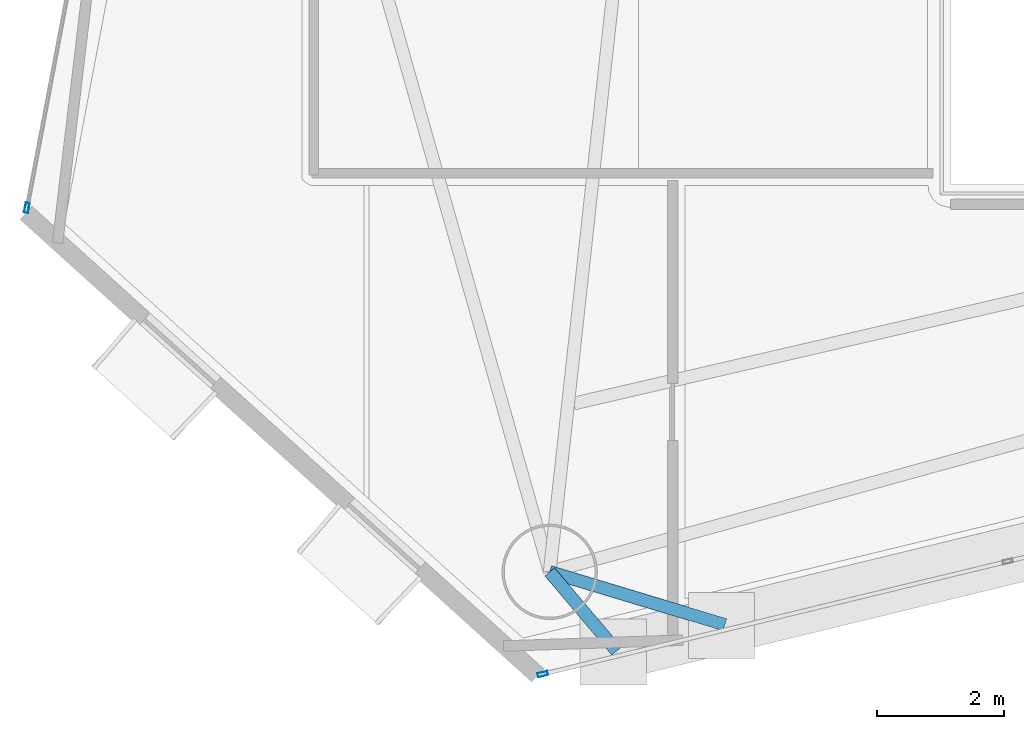
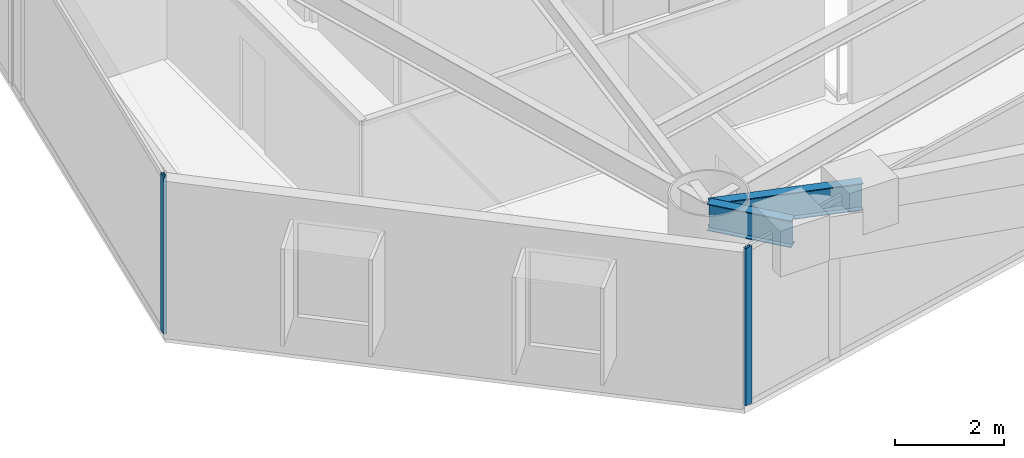
# One storey, part 2 of 24: 2 beams, 2 members, 2 elements without a shape of their own.
"""IFC4 building model written with IfcOpenShell, lengths in metres."""

from ifc_helpers import new_model, si_unit, direction, frame, origin, origin_2d, place, context, subcontext, project, spatial, hollow_rectangle, i_section, extrude, material, layer, layer_set, material_profile, profile_set, type_object, element, aggregate, save


model = new_model("IFC4")

# Units and contexts
model_context = context("Model", 3, precision=1e-05, world=origin(), true_north=direction((0.0, 1.0)))
body_context = subcontext(model_context, "Body", "Model", "MODEL_VIEW")
ifc_project = project(units=[si_unit("LENGTHUNIT", "METRE"), si_unit("AREAUNIT", "SQUARE_METRE"), si_unit("VOLUMEUNIT", "CUBIC_METRE"), si_unit("PLANEANGLEUNIT", "RADIAN"), si_unit("MASSUNIT", "GRAM", prefix="KILO")], contexts=[model_context])

# Site, building, storey
site_placement = place(None, origin())
site = spatial("IfcSite", under=ifc_project, at=site_placement, CompositionType="ELEMENT")
building_placement = place(site_placement, origin())
building = spatial("IfcBuilding", under=site, at=building_placement, Name="Qianvela Tower", CompositionType="ELEMENT")
storey_placement = place(building_placement, frame((0.0, 0.0, 101.5)))
storey = spatial("IfcBuildingStorey", under=building, at=storey_placement, Name="L25", CompositionType="ELEMENT", Elevation=101.5)

# Beams
ifc_material_1 = material(Name="Steel Q355B", Category="steel")
ifc_material_profile_1 = material_profile(ifc_material_1, i_section(OverallWidth=0.199951171875, OverallDepth=0.60009765625, WebThickness=0.010986328125, FlangeThickness=0.01708984375, at=origin_2d()), Name="HN600x200x11x17")
ifc_profile_set_1 = profile_set([ifc_material_profile_1], Name="Steel Q355B")
beam_type = type_object("IfcBeamType", Name="BM-HN600-GIRD", PredefinedType="BEAM", material=ifc_profile_set_1)
beam_1_placement = place(storey_placement, frame((27.2919921875, 11.908935546875, 3.218017578125), z_axis=(0.646418364288, -0.762983157292, 0.0), x_axis=(0.762983157292, 0.646418364288, 0.0)))
element("IfcBeam", 1, at=beam_1_placement, inside=storey, type_object=beam_type, Name="L25 Mega-Brace Column Tie Bracket F3-1", PredefinedType="BEAM", context=body_context, shape_type="SweptSolid", body=[
    extrude(i_section(OverallWidth=0.199951171875, OverallDepth=0.60009765625, WebThickness=0.010986328125, FlangeThickness=0.01708984375, at=origin_2d()), origin(), (0.0, 0.0, 1.0), 1.631591796875),
])
beam_2_placement = place(storey_placement, frame((27.2919921875, 11.908935546875, 3.218017578125), z_axis=(0.957400683545, -0.288762759281, 0.0), x_axis=(0.288762759281, 0.957400683545, 0.0)))
element("IfcBeam", 2, at=beam_2_placement, inside=storey, type_object=beam_type, Name="L25 Mega-Brace Column Tie Bracket F3-2", PredefinedType="BEAM", context=body_context, shape_type="SweptSolid", body=[
    extrude(i_section(OverallWidth=0.199951171875, OverallDepth=0.60009765625, WebThickness=0.010986328125, FlangeThickness=0.01708984375, at=origin_2d()), origin(), (0.0, 0.0, 1.0), 2.880615234375),
])

# Curtain wall, member
ifc_material_2 = material(Name="Anodised Architectural Aluminium and Insulated Spandrel Panel", Category="aluminium")
ifc_layer_1 = layer(ifc_material_2, 0.179931640625)
ifc_layer_set_1 = layer_set([ifc_layer_1], Name="Anodised Architectural Aluminium and Insulated Spandrel Panel")
curtain_wall_type_1 = type_object("IfcCurtainWallType", Name="CW-BRACEBAY", PredefinedType="USERDEFINED", material=ifc_layer_set_1)
curtain_wall_1_placement = place(storey_placement, origin())
curtain_wall_1 = element("IfcCurtainWall", 3, at=curtain_wall_1_placement, inside=storey, type_object=curtain_wall_type_1, Name="L25 CW-BRACEBAY Curtain Wall 06A", ObjectType="CURTAIN_WALL_SYSTEM", PredefinedType="USERDEFINED")
ifc_material_3 = material(Name="Anodised Architectural Aluminium 6063-T6", Category="aluminium")
ifc_material_profile_2 = material_profile(ifc_material_3, hollow_rectangle(XDim=0.06494140625, YDim=0.159912109375, WallThickness=0.0048828125, at=origin_2d()), Name="ALU-MULL-65x160")
ifc_profile_set_2 = profile_set([ifc_material_profile_2], Name="Anodised Architectural Aluminium 6063-T6")
member_type_1 = type_object("IfcMemberType", Name="CW-BRACEBAY-MULL", PredefinedType="MULLION", material=ifc_profile_set_2)
member_1_placement = place(storey_placement, frame((27.182373046875, 10.29931640625, 0.0), z_axis=(0.0, 0.0, 1.0), x_axis=(-0.235701106427, 0.971825595685, 0.0)))
member_1 = element("IfcMember", 4, at=member_1_placement, type_object=member_type_1, Name="CW-9 mullion 1", PredefinedType="MULLION", context=body_context, shape_type="SweptSolid", body=[
    extrude(hollow_rectangle(XDim=0.06494140625, YDim=0.159912109375, WallThickness=0.0048828125, at=origin_2d()), origin(), (0.0, 0.0, 1.0), 3.52001953125),
])
aggregate(curtain_wall_1, [member_1])

ifc_material_4 = material(Name="Anodised Architectural Aluminium and Low-E Glass", Category="aluminium")
ifc_layer_2 = layer(ifc_material_4, 0.169921875)
ifc_layer_set_2 = layer_set([ifc_layer_2], Name="Anodised Architectural Aluminium and Low-E Glass")
curtain_wall_type_2 = type_object("IfcCurtainWallType", Name="CW-COLIV-Z34", PredefinedType="USERDEFINED", material=ifc_layer_set_2)
curtain_wall_2_placement = place(storey_placement, origin())
curtain_wall_2 = element("IfcCurtainWall", 5, at=curtain_wall_2_placement, inside=storey, type_object=curtain_wall_type_2, Name="L25 CW-COLIV-Z34 Curtain Wall 04C", ObjectType="CURTAIN_WALL_SYSTEM", PredefinedType="USERDEFINED")
ifc_material_5 = material(Name="Anodised Architectural Aluminium 6063-T6", Category="aluminium")
ifc_material_profile_3 = material_profile(ifc_material_5, hollow_rectangle(XDim=0.06494140625, YDim=0.159912109375, WallThickness=0.0048828125, at=origin_2d()), Name="ALU-MULL-65x160")
ifc_profile_set_3 = profile_set([ifc_material_profile_3], Name="Anodised Architectural Aluminium 6063-T6")
member_type_2 = type_object("IfcMemberType", Name="CW-COLIV-Z34-MULL", PredefinedType="MULLION", material=ifc_profile_set_3)
member_2_placement = place(storey_placement, frame((19.066650390625, 17.63671875, 0.0), z_axis=(0.0, 0.0, 1.0), x_axis=(0.982549468415, -0.186001457299, 0.0)))
member_2 = element("IfcMember", 6, at=member_2_placement, type_object=member_type_2, Name="CW-4 mullion 2", PredefinedType="MULLION", context=body_context, shape_type="SweptSolid", body=[
    extrude(hollow_rectangle(XDim=0.06494140625, YDim=0.159912109375, WallThickness=0.0048828125, at=origin_2d()), origin(), (0.0, 0.0, 1.0), 3.52001953125),
])
aggregate(curtain_wall_2, [member_2])

save(model, "model.ifc")
